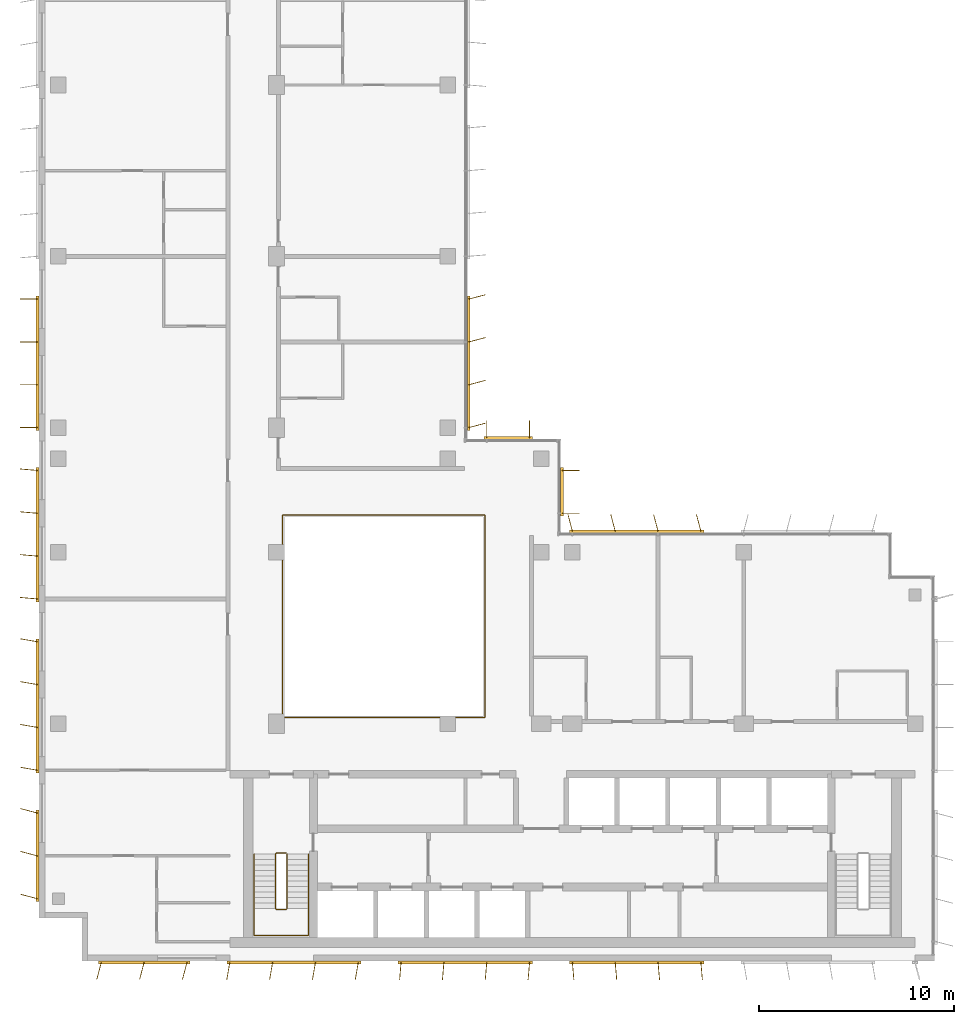
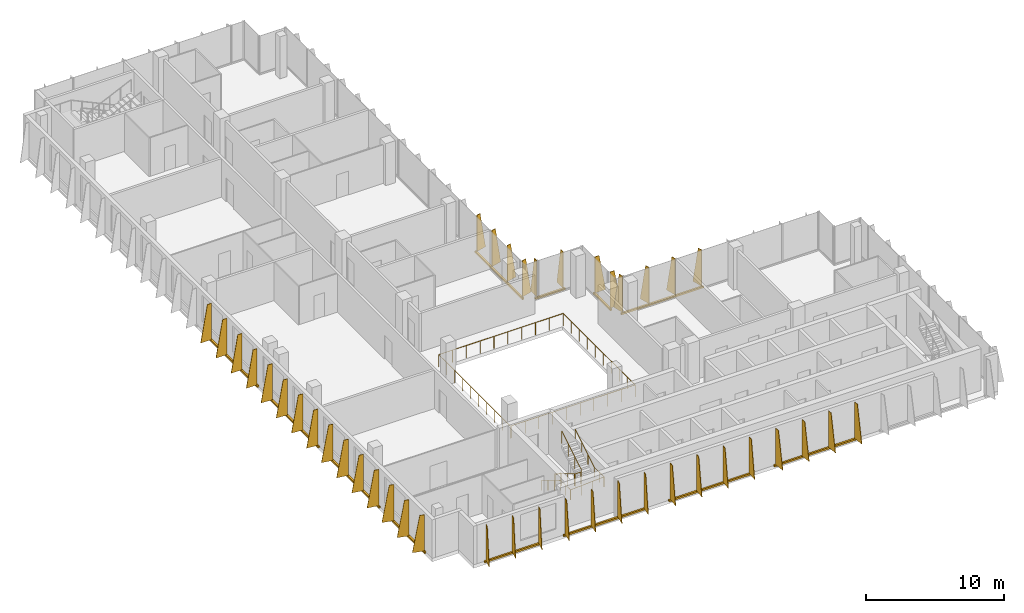
# One storey, part 13 of 15: 12 shading devices, 3 railings.
"""IFC4 building model written with IfcOpenShell, lengths in metres."""

from ifc_helpers import new_model, si_unit, direction, frame, origin, origin_2d, place, context, subcontext, project, spatial, polyline, rectangle, circle, outline, extrude, source, transform, mapped, material, layer, layer_set, type_object, element, save


model = new_model("IFC4")

# Units and contexts
model_context = context("Model", 3, precision=1e-05, world=origin(), true_north=direction((0.0, 1.0)))
body_context = subcontext(model_context, "Body", "Model", "MODEL_VIEW")
ifc_project = project(units=[si_unit("LENGTHUNIT", "METRE"), si_unit("AREAUNIT", "SQUARE_METRE"), si_unit("VOLUMEUNIT", "CUBIC_METRE"), si_unit("PLANEANGLEUNIT", "RADIAN"), si_unit("MASSUNIT", "GRAM", prefix="KILO")], contexts=[model_context])

# Site, building, storey
site_placement = place(None, origin())
site = spatial("IfcSite", under=ifc_project, at=site_placement, CompositionType="ELEMENT")
building_placement = place(site_placement, origin())
building = spatial("IfcBuilding", under=site, at=building_placement, Name="Kemantara Hotel Tower", CompositionType="ELEMENT")
storey_placement = place(building_placement, frame((0.0, 0.0, 237.60009765625)))
storey = spatial("IfcBuildingStorey", under=building, at=storey_placement, Name="L59", CompositionType="ELEMENT", Elevation=237.60009765625)

# Railings
ifc_material_1 = material(Name="Stainless steel and laminated glass balustrade", Category="steel")
railing_type_1 = type_object("IfcRailingType", Name="ATRIUM GUARD 1100", PredefinedType="GUARDRAIL", material=ifc_material_1)
railing_1_placement = place(storey_placement, frame((12.56005859375, 12.5, 0.0)))
element("IfcRailing", 1, at=railing_1_placement, inside=storey, type_object=railing_type_1, Name="ATRIUM GUARD L59", PredefinedType="GUARDRAIL", context=body_context, shape_type="SweptSolid", body=[
    extrude(circle(Radius=0.02490234375, at=origin_2d()), frame((0.0, 0.0, 1.0751953125), z_axis=(1.0, 0.0, 0.0), x_axis=(0.0, 1.0, 0.0)), (0.0, 0.0, 1.0), 10.33984375),
    extrude(circle(Radius=0.02490234375, at=origin_2d()), frame((10.33984375, 0.0, 1.0751953125), z_axis=(0.0, 1.0, 0.0), x_axis=(-1.0, 0.0, 0.0)), (0.0, 0.0, 1.0), 10.39990234375),
    extrude(circle(Radius=0.02490234375, at=origin_2d()), frame((10.33984375, 10.39990234375, 1.0751953125), z_axis=(-1.0, 0.0, 0.0), x_axis=(0.0, -1.0, 0.0)), (0.0, 0.0, 1.0), 10.39990234375),
    extrude(circle(Radius=0.02490234375, at=origin_2d()), frame((-0.06005859375, 10.39990234375, 1.0751953125), z_axis=(0.0, -1.0, 0.0), x_axis=(1.0, 0.0, 0.0)), (0.0, 0.0, 1.0), 10.39990234375),
    extrude(circle(Radius=0.02001953125, at=origin_2d()), origin(), (0.0, 0.0, 1.0), 1.050048828125),
    extrude(circle(Radius=0.02001953125, at=origin_2d()), frame((1.14892578125, 0.0, 0.0)), (0.0, 0.0, 1.0), 1.050048828125),
    extrude(circle(Radius=0.02001953125, at=origin_2d()), frame((2.2978515625, 0.0, 0.0)), (0.0, 0.0, 1.0), 1.050048828125),
    extrude(circle(Radius=0.02001953125, at=origin_2d()), frame((3.446533203125, 0.0, 0.0)), (0.0, 0.0, 1.0), 1.050048828125),
    extrude(circle(Radius=0.02001953125, at=origin_2d()), frame((4.595458984375, 0.0, 0.0)), (0.0, 0.0, 1.0), 1.050048828125),
    extrude(circle(Radius=0.02001953125, at=origin_2d()), frame((5.744384765625, 0.0, 0.0)), (0.0, 0.0, 1.0), 1.050048828125),
    extrude(circle(Radius=0.02001953125, at=origin_2d()), frame((6.893310546875, 0.0, 0.0)), (0.0, 0.0, 1.0), 1.050048828125),
    extrude(circle(Radius=0.02001953125, at=origin_2d()), frame((8.0419921875, 0.0, 0.0)), (0.0, 0.0, 1.0), 1.050048828125),
    extrude(circle(Radius=0.02001953125, at=origin_2d()), frame((9.19091796875, 0.0, 0.0)), (0.0, 0.0, 1.0), 1.050048828125),
    extrude(circle(Radius=0.02001953125, at=origin_2d()), frame((10.33984375, 0.0, 0.0)), (0.0, 0.0, 1.0), 1.050048828125),
    extrude(circle(Radius=0.02001953125, at=origin_2d()), frame((10.33984375, 1.155517578125, 0.0)), (0.0, 0.0, 1.0), 1.050048828125),
    extrude(circle(Radius=0.02001953125, at=origin_2d()), frame((10.33984375, 2.31103515625, 0.0)), (0.0, 0.0, 1.0), 1.050048828125),
    extrude(circle(Radius=0.02001953125, at=origin_2d()), frame((10.33984375, 3.466552734375, 0.0)), (0.0, 0.0, 1.0), 1.050048828125),
    extrude(circle(Radius=0.02001953125, at=origin_2d()), frame((10.33984375, 4.6220703125, 0.0)), (0.0, 0.0, 1.0), 1.050048828125),
    extrude(circle(Radius=0.02001953125, at=origin_2d()), frame((10.33984375, 5.77783203125, 0.0)), (0.0, 0.0, 1.0), 1.050048828125),
    extrude(circle(Radius=0.02001953125, at=origin_2d()), frame((10.33984375, 6.933349609375, 0.0)), (0.0, 0.0, 1.0), 1.050048828125),
    extrude(circle(Radius=0.02001953125, at=origin_2d()), frame((10.33984375, 8.0888671875, 0.0)), (0.0, 0.0, 1.0), 1.050048828125),
    extrude(circle(Radius=0.02001953125, at=origin_2d()), frame((10.33984375, 9.244384765625, 0.0)), (0.0, 0.0, 1.0), 1.050048828125),
    extrude(circle(Radius=0.02001953125, at=origin_2d()), frame((10.33984375, 10.39990234375, 0.0)), (0.0, 0.0, 1.0), 1.050048828125),
    extrude(circle(Radius=0.02001953125, at=origin_2d()), frame((9.184326171875, 10.39990234375, 0.0)), (0.0, 0.0, 1.0), 1.050048828125),
    extrude(circle(Radius=0.02001953125, at=origin_2d()), frame((8.02880859375, 10.39990234375, 0.0)), (0.0, 0.0, 1.0), 1.050048828125),
    extrude(circle(Radius=0.02001953125, at=origin_2d()), frame((6.873291015625, 10.39990234375, 0.0)), (0.0, 0.0, 1.0), 1.050048828125),
    extrude(circle(Radius=0.02001953125, at=origin_2d()), frame((5.7177734375, 10.39990234375, 0.0)), (0.0, 0.0, 1.0), 1.050048828125),
    extrude(circle(Radius=0.02001953125, at=origin_2d()), frame((4.56201171875, 10.39990234375, 0.0)), (0.0, 0.0, 1.0), 1.050048828125),
    extrude(circle(Radius=0.02001953125, at=origin_2d()), frame((3.406494140625, 10.39990234375, 0.0)), (0.0, 0.0, 1.0), 1.050048828125),
    extrude(circle(Radius=0.02001953125, at=origin_2d()), frame((2.2509765625, 10.39990234375, 0.0)), (0.0, 0.0, 1.0), 1.050048828125),
    extrude(circle(Radius=0.02001953125, at=origin_2d()), frame((1.095458984375, 10.39990234375, 0.0)), (0.0, 0.0, 1.0), 1.050048828125),
    extrude(circle(Radius=0.02001953125, at=origin_2d()), frame((-0.06005859375, 10.39990234375, 0.0)), (0.0, 0.0, 1.0), 1.050048828125),
    extrude(circle(Radius=0.02001953125, at=origin_2d()), frame((-0.06005859375, 9.244384765625, 0.0)), (0.0, 0.0, 1.0), 1.050048828125),
    extrude(circle(Radius=0.02001953125, at=origin_2d()), frame((-0.06005859375, 8.0888671875, 0.0)), (0.0, 0.0, 1.0), 1.050048828125),
    extrude(circle(Radius=0.02001953125, at=origin_2d()), frame((-0.06005859375, 6.933349609375, 0.0)), (0.0, 0.0, 1.0), 1.050048828125),
    extrude(circle(Radius=0.02001953125, at=origin_2d()), frame((-0.06005859375, 5.77783203125, 0.0)), (0.0, 0.0, 1.0), 1.050048828125),
    extrude(circle(Radius=0.02001953125, at=origin_2d()), frame((-0.06005859375, 4.6220703125, 0.0)), (0.0, 0.0, 1.0), 1.050048828125),
    extrude(circle(Radius=0.02001953125, at=origin_2d()), frame((-0.06005859375, 3.466552734375, 0.0)), (0.0, 0.0, 1.0), 1.050048828125),
    extrude(circle(Radius=0.02001953125, at=origin_2d()), frame((-0.06005859375, 2.31103515625, 0.0)), (0.0, 0.0, 1.0), 1.050048828125),
    extrude(circle(Radius=0.02001953125, at=origin_2d()), frame((-0.06005859375, 1.155517578125, 0.0)), (0.0, 0.0, 1.0), 1.050048828125),
    extrude(circle(Radius=0.02001953125, at=origin_2d()), frame((-0.06005859375, 0.0, 0.0)), (0.0, 0.0, 1.0), 1.050048828125),
])
ifc_material_2 = material(Name="Stainless steel balustrade", Category="steel")
railing_type_2 = type_object("IfcRailingType", Name="Stair guard 1100 mm", PredefinedType="GUARDRAIL", material=ifc_material_2)
railing_2_placement = place(storey_placement, frame((12.75, 5.5, 3.699951171875)))
element("IfcRailing", 2, at=railing_2_placement, inside=storey, type_object=railing_type_2, Name="L59 ST1 stair guard 1", PredefinedType="GUARDRAIL", context=body_context, shape_type="SweptSolid", body=[
    extrude(circle(Radius=0.02392578125, at=origin_2d()), frame((0.0, 0.0, 1.076171875), z_axis=(0.0, -0.857242210791, -0.514913383045), x_axis=(1.0, 0.0, 0.0)), (0.0, 0.0, 1.0), 3.266357421875),
    extrude(circle(Radius=0.02392578125, at=origin_2d()), frame((0.0, -2.800048828125, -0.60595703125), z_axis=(-0.274243871929, -0.274243871929, -0.92172696468), x_axis=(0.707106781187, -0.707106781187, 0.0)), (0.0, 0.0, 1.0), 0.1826171875),
    extrude(circle(Radius=0.02392578125, at=origin_2d()), frame((-0.050048828125, -2.85009765625, -0.77392578125), z_axis=(-1.0, 0.0, 0.0), x_axis=(0.0, -1.0, 0.0)), (0.0, 0.0, 1.0), 0.5),
    extrude(circle(Radius=0.02392578125, at=origin_2d()), frame((-0.550048828125, -2.85009765625, -0.77392578125), z_axis=(-0.707106781187, 0.707106781187, 0.0), x_axis=(-0.707106781187, -0.707106781187, 0.0)), (0.0, 0.0, 1.0), 0.07080078125),
    extrude(circle(Radius=0.02392578125, at=origin_2d()), frame((-0.60009765625, -2.800048828125, -0.77392578125), z_axis=(0.0, 0.857242210791, -0.514913383045), x_axis=(-1.0, 0.0, 0.0)), (0.0, 0.0, 1.0), 3.266357421875),
    extrude(circle(Radius=0.02392578125, at=origin_2d()), frame((-0.60009765625, 0.0, -2.4560546875), z_axis=(0.274582412415, 0.274582412415, -0.921525364591), x_axis=(-0.707106781187, 0.707106781187, 0.0)), (0.0, 0.0, 1.0), 0.182373046875),
    extrude(circle(Radius=0.02392578125, at=origin_2d()), frame((-0.550048828125, 0.050048828125, -2.6240234375), z_axis=(1.0, 0.0, 0.0), x_axis=(0.0, 1.0, 0.0)), (0.0, 0.0, 1.0), 0.5),
    extrude(circle(Radius=0.02099609375, at=origin_2d()), origin(), (0.0, 0.0, 1.0), 1.052001953125),
    extrude(circle(Radius=0.02099609375, at=origin_2d()), frame((0.0, -0.933349609375, -0.560546875)), (0.0, 0.0, 1.0), 1.052001953125),
    extrude(circle(Radius=0.02099609375, at=origin_2d()), frame((0.0, -1.86669921875, -1.121337890625)), (0.0, 0.0, 1.0), 1.052001953125),
    extrude(circle(Radius=0.02099609375, at=origin_2d()), frame((0.0, -2.800048828125, -1.681884765625)), (0.0, 0.0, 1.0), 1.052001953125),
    extrude(circle(Radius=0.02099609375, at=origin_2d()), frame((-0.050048828125, -2.85009765625, -1.85009765625)), (0.0, 0.0, 1.0), 1.052001953125),
    extrude(circle(Radius=0.02099609375, at=origin_2d()), frame((-0.550048828125, -2.85009765625, -1.85009765625)), (0.0, 0.0, 1.0), 1.052001953125),
    extrude(circle(Radius=0.02099609375, at=origin_2d()), frame((-0.60009765625, -2.800048828125, -1.85009765625)), (0.0, 0.0, 1.0), 1.052001953125),
    extrude(circle(Radius=0.02099609375, at=origin_2d()), frame((-0.60009765625, -1.86669921875, -2.41064453125)), (0.0, 0.0, 1.0), 1.052001953125),
    extrude(circle(Radius=0.02099609375, at=origin_2d()), frame((-0.60009765625, -0.933349609375, -2.971435546875)), (0.0, 0.0, 1.0), 1.052001953125),
    extrude(circle(Radius=0.02099609375, at=origin_2d()), frame((-0.60009765625, 0.0, -3.531982421875)), (0.0, 0.0, 1.0), 1.052001953125),
    extrude(circle(Radius=0.02099609375, at=origin_2d()), frame((-0.550048828125, 0.050048828125, -3.699951171875)), (0.0, 0.0, 1.0), 1.052001953125),
    extrude(circle(Radius=0.02099609375, at=origin_2d()), frame((-0.050048828125, 0.050048828125, -3.699951171875)), (0.0, 0.0, 1.0), 1.052001953125),
])
railing_type_3 = type_object("IfcRailingType", Name="Stair handrail 900 mm", PredefinedType="HANDRAIL", material=ifc_material_2)
railing_3_placement = place(storey_placement, frame((11.050048828125, 5.5, 0.16796875)))
element("IfcRailing", 3, at=railing_3_placement, inside=storey, type_object=railing_type_3, Name="L59 ST1 stair handrail 1", PredefinedType="HANDRAIL", context=body_context, shape_type="SweptSolid", body=[
    extrude(circle(Radius=0.02392578125, at=origin_2d()), frame((0.0, 0.0, 0.8759765625), z_axis=(0.0, -0.857242210791, 0.514913383045), x_axis=(1.0, 0.0, 0.0)), (0.0, 0.0, 1.0), 3.266357421875),
    extrude(circle(Radius=0.02392578125, at=origin_2d()), frame((0.0, -2.800048828125, 2.5576171875), z_axis=(0.0, -1.0, 0.0), x_axis=(1.0, 0.0, 0.0)), (0.0, 0.0, 1.0), 1.3798828125),
    extrude(circle(Radius=0.02392578125, at=origin_2d()), frame((0.0, -4.179931640625, 2.5576171875), z_axis=(0.998200367801, 0.0, 0.059966871865), x_axis=(0.0, 1.0, 0.0)), (0.0, 0.0, 1.0), 2.80517578125),
    extrude(circle(Radius=0.02392578125, at=origin_2d()), frame((2.800048828125, -4.179931640625, 2.72607421875), z_axis=(0.0, 1.0, 0.0), x_axis=(-1.0, 0.0, 0.0)), (0.0, 0.0, 1.0), 1.3798828125),
    extrude(circle(Radius=0.02392578125, at=origin_2d()), frame((2.800048828125, -2.800048828125, 2.72607421875), z_axis=(0.0, 0.857242210791, 0.514913383045), x_axis=(-1.0, 0.0, 0.0)), (0.0, 0.0, 1.0), 3.266357421875),
    extrude(circle(Radius=0.02099609375, at=origin_2d()), origin(), (0.0, 0.0, 1.0), 0.851806640625),
    extrude(circle(Radius=0.02099609375, at=origin_2d()), frame((0.0, -0.933349609375, 0.560546875)), (0.0, 0.0, 1.0), 0.851806640625),
    extrude(circle(Radius=0.02099609375, at=origin_2d()), frame((0.0, -1.86669921875, 1.121337890625)), (0.0, 0.0, 1.0), 0.851806640625),
    extrude(circle(Radius=0.02099609375, at=origin_2d()), frame((0.0, -2.800048828125, 1.681884765625)), (0.0, 0.0, 1.0), 0.851806640625),
    extrude(circle(Radius=0.02099609375, at=origin_2d()), frame((0.0, -3.489990234375, 1.681884765625)), (0.0, 0.0, 1.0), 0.851806640625),
    extrude(circle(Radius=0.02099609375, at=origin_2d()), frame((0.0, -4.179931640625, 1.681884765625)), (0.0, 0.0, 1.0), 0.851806640625),
    extrude(circle(Radius=0.02099609375, at=origin_2d()), frame((0.933349609375, -4.179931640625, 1.738037109375)), (0.0, 0.0, 1.0), 0.851806640625),
    extrude(circle(Radius=0.02099609375, at=origin_2d()), frame((1.86669921875, -4.179931640625, 1.7939453125)), (0.0, 0.0, 1.0), 0.851806640625),
    extrude(circle(Radius=0.02099609375, at=origin_2d()), frame((2.800048828125, -4.179931640625, 1.85009765625)), (0.0, 0.0, 1.0), 0.851806640625),
    extrude(circle(Radius=0.02099609375, at=origin_2d()), frame((2.800048828125, -3.489990234375, 1.85009765625)), (0.0, 0.0, 1.0), 0.851806640625),
    extrude(circle(Radius=0.02099609375, at=origin_2d()), frame((2.800048828125, -2.800048828125, 1.85009765625)), (0.0, 0.0, 1.0), 0.851806640625),
    extrude(circle(Radius=0.02099609375, at=origin_2d()), frame((2.800048828125, -1.86669921875, 2.41064453125)), (0.0, 0.0, 1.0), 0.851806640625),
    extrude(circle(Radius=0.02099609375, at=origin_2d()), frame((2.800048828125, -0.933349609375, 2.971435546875)), (0.0, 0.0, 1.0), 0.851806640625),
    extrude(circle(Radius=0.02099609375, at=origin_2d()), frame((2.800048828125, 0.0, 3.531982421875)), (0.0, 0.0, 1.0), 0.851806640625),
])

# Shading devices
ifc_material_3 = material(Name="Perforated aluminium plate 4 mm bronze anodised", Category="aluminium")
ifc_layer_1 = layer(ifc_material_3, 0.0400390625)
ifc_layer_set_1 = layer_set([ifc_layer_1], Name="Perforated aluminium plate 4 mm bronze anodised")
shading_device_type_1 = type_object("IfcShadingDeviceType", Name="SCREEN FIN CASSETTE, 3 BLADES AT -15.0 DEG, 3200 HIGH", PredefinedType="USERDEFINED", material=ifc_layer_set_1)
shared_shape_1 = source(origin(), body_context, "Body", "SweptSolid", [
    extrude(rectangle(XDim=4.699951171875, YDim=0.14990234375, at=origin_2d()), frame((2.199951171875, -0.074951171875, -0.14990234375), z_axis=(0.0, 0.0, 1.0), x_axis=(1.0, 0.0, 0.0)), (0.0, 0.0, 1.0), 0.14990234375),
    extrude(outline(polyline([(0.0, 0.0), (0.89990234375, 0.0), (0.35009765625, 3.199951171875), (0.0, 3.199951171875), (0.0, 0.0)])), frame((0.019287109375, -0.080078125, 0.0), z_axis=(-0.966437683387, 0.256901156343, 0.0), x_axis=(-0.256901156343, -0.966437683387, 0.0)), (0.0, 0.0, 1.0), 0.039794921875),
    extrude(outline(polyline([(0.0, 0.0), (0.89990234375, 0.0), (0.35009765625, 3.199951171875), (0.0, 3.199951171875), (0.0, 0.0)])), frame((2.21923828125, -0.080078125, 0.0), z_axis=(-0.966437683387, 0.256901156343, 0.0), x_axis=(-0.256901156343, -0.966437683387, 0.0)), (0.0, 0.0, 1.0), 0.039794921875),
    extrude(outline(polyline([(0.0, 0.0), (0.89990234375, 0.0), (0.35009765625, 3.199951171875), (0.0, 3.199951171875), (0.0, 0.0)])), frame((4.41943359375, -0.080078125, 0.0), z_axis=(-0.966837822169, 0.255391122837, 0.0), x_axis=(-0.255391122837, -0.966837822169, 0.0)), (0.0, 0.0, 1.0), 0.0400390625),
])
for number, where, z_axis, x_axis, name in (
    (4, (0.0, 7.60009765625, 0.099853515625), (0.0, 0.0, 1.0), (0.0, -1.0, 0.0), "SCREEN FIN CASSETTE L59 T4-R05-7"),
    (5, (3.199951171875, 0.0, 0.099853515625), (0.0, 0.0, 1.0), (1.0, 0.0, 0.0), "SCREEN FIN CASSETTE L59 T4-R08-1"),
):
    element("IfcShadingDevice", number, at=place(storey_placement, frame(where, z_axis=z_axis, x_axis=x_axis)), inside=storey, type_object=shading_device_type_1, Name=name, ObjectType="SCREEN FIN", PredefinedType="USERDEFINED", context=body_context, shape_type="MappedRepresentation", body=[
        mapped(shared_shape_1, transform((0.0, 0.0, 0.0))),
    ])
ifc_layer_2 = layer(ifc_material_3, 0.0400390625)
ifc_layer_set_2 = layer_set([ifc_layer_2], Name="Perforated aluminium plate 4 mm bronze anodised")
shading_device_type_2 = type_object("IfcShadingDeviceType", Name="SCREEN FIN CASSETTE, 4 BLADES AT -10.0 DEG, 3200 HIGH", PredefinedType="USERDEFINED", material=ifc_layer_set_2)
shared_shape_2 = source(origin(), body_context, "Body", "SweptSolid", [
    extrude(rectangle(XDim=6.89990234375, YDim=0.14990234375, at=origin_2d()), frame((3.300048828125, -0.074951171875, -0.14990234375), z_axis=(0.0, 0.0, 1.0), x_axis=(1.0, 0.0, 0.0)), (0.0, 0.0, 1.0), 0.14990234375),
    extrude(outline(polyline([(0.0, 0.0), (0.89990234375, 0.0), (0.35009765625, 3.199951171875), (0.0, 3.199951171875), (0.0, 0.0)])), frame((0.019775390625, -0.078369140625, 0.0), z_axis=(-0.985389793052, 0.170314285219, 0.0), x_axis=(-0.170314285219, -0.985389793052, 0.0)), (0.0, 0.0, 1.0), 0.0400390625),
    extrude(outline(polyline([(0.0, 0.0), (0.89990234375, 0.0), (0.35009765625, 3.199951171875), (0.0, 3.199951171875), (0.0, 0.0)])), frame((2.2197265625, -0.078369140625, 0.0), z_axis=(-0.98521175482, 0.171341174751, 0.0), x_axis=(-0.171341174751, -0.98521175482, 0.0)), (0.0, 0.0, 1.0), 0.039794921875),
    extrude(outline(polyline([(0.0, 0.0), (0.89990234375, 0.0), (0.35009765625, 3.199951171875), (0.0, 3.199951171875), (0.0, 0.0)])), frame((4.419677734375, -0.078369140625, 0.0), z_axis=(-0.98521175482, 0.171341174751, 0.0), x_axis=(-0.171341174751, -0.98521175482, 0.0)), (0.0, 0.0, 1.0), 0.039794921875),
    extrude(outline(polyline([(0.0, 0.0), (0.89990234375, 0.0), (0.35009765625, 3.199951171875), (0.0, 3.199951171875), (0.0, 0.0)])), frame((6.61962890625, -0.078369140625, 0.0), z_axis=(-0.98521175482, 0.171341174751, 0.0), x_axis=(-0.171341174751, -0.98521175482, 0.0)), (0.0, 0.0, 1.0), 0.039794921875),
])
for number, where, z_axis, x_axis, name in (
    (6, (0.0, 16.39990234375, 0.099853515625), (0.0, 0.0, 1.0), (0.0, -1.0, 0.0), "SCREEN FIN CASSETTE L59 T4-R05-6"),
    (7, (9.800048828125, 0.0, 0.099853515625), (0.0, 0.0, 1.0), (1.0, 0.0, 0.0), "SCREEN FIN CASSETTE L59 T4-R08-2"),
):
    element("IfcShadingDevice", number, at=place(storey_placement, frame(where, z_axis=z_axis, x_axis=x_axis)), inside=storey, type_object=shading_device_type_2, Name=name, ObjectType="SCREEN FIN", PredefinedType="USERDEFINED", context=body_context, shape_type="MappedRepresentation", body=[
        mapped(shared_shape_2, transform((0.0, 0.0, 0.0))),
    ])
ifc_layer_3 = layer(ifc_material_3, 0.0400390625)
ifc_layer_set_3 = layer_set([ifc_layer_3], Name="Perforated aluminium plate 4 mm bronze anodised")
shading_device_type_3 = type_object("IfcShadingDeviceType", Name="SCREEN FIN CASSETTE, 4 BLADES AT -5.0 DEG, 3200 HIGH", PredefinedType="USERDEFINED", material=ifc_layer_set_3)
shared_shape_3 = source(origin(), body_context, "Body", "SweptSolid", [
    extrude(rectangle(XDim=6.89990234375, YDim=0.14990234375, at=origin_2d()), frame((3.300048828125, -0.074951171875, -0.14990234375), z_axis=(0.0, 0.0, 1.0), x_axis=(1.0, 0.0, 0.0)), (0.0, 0.0, 1.0), 0.14990234375),
    extrude(outline(polyline([(0.0, 0.0), (0.89990234375, 0.0), (0.35009765625, 3.199951171875), (0.0, 3.199951171875), (0.0, 0.0)])), frame((0.02001953125, -0.07666015625, 0.0), z_axis=(-0.996376129781, 0.085056498884, 0.0), x_axis=(-0.085056498884, -0.996376129781, 0.0)), (0.0, 0.0, 1.0), 0.040283203125),
    extrude(outline(polyline([(0.0, 0.0), (0.89990234375, 0.0), (0.35009765625, 3.199951171875), (0.0, 3.199951171875), (0.0, 0.0)])), frame((2.219970703125, -0.07666015625, 0.0), z_axis=(-0.996331773833, 0.085574508182, 0.0), x_axis=(-0.085574508182, -0.996331773833, 0.0)), (0.0, 0.0, 1.0), 0.0400390625),
    extrude(outline(polyline([(0.0, 0.0), (0.89990234375, 0.0), (0.35009765625, 3.199951171875), (0.0, 3.199951171875), (0.0, 0.0)])), frame((4.419921875, -0.07666015625, 0.0), z_axis=(-0.996331773833, 0.085574508182, 0.0), x_axis=(-0.085574508182, -0.996331773833, 0.0)), (0.0, 0.0, 1.0), 0.0400390625),
    extrude(outline(polyline([(0.0, 0.0), (0.89990234375, 0.0), (0.35009765625, 3.199951171875), (0.0, 3.199951171875), (0.0, 0.0)])), frame((6.619873046875, -0.07666015625, 0.0), z_axis=(-0.996331773833, 0.085574508182, 0.0), x_axis=(-0.085574508182, -0.996331773833, 0.0)), (0.0, 0.0, 1.0), 0.0400390625),
])
for number, where, z_axis, x_axis, name in (
    (8, (0.0, 25.199951171875, 0.099853515625), (0.0, 0.0, 1.0), (0.0, -1.0, 0.0), "SCREEN FIN CASSETTE L59 T4-R05-5"),
    (9, (18.60009765625, 0.0, 0.099853515625), (0.0, 0.0, 1.0), (1.0, 0.0, 0.0), "SCREEN FIN CASSETTE L59 T4-R08-3"),
):
    element("IfcShadingDevice", number, at=place(storey_placement, frame(where, z_axis=z_axis, x_axis=x_axis)), inside=storey, type_object=shading_device_type_3, Name=name, ObjectType="SCREEN FIN", PredefinedType="USERDEFINED", context=body_context, shape_type="MappedRepresentation", body=[
        mapped(shared_shape_3, transform((0.0, 0.0, 0.0))),
    ])
ifc_layer_4 = layer(ifc_material_3, 0.0400390625)
ifc_layer_set_4 = layer_set([ifc_layer_4], Name="Perforated aluminium plate 4 mm bronze anodised")
shading_device_type_4 = type_object("IfcShadingDeviceType", Name="SCREEN FIN CASSETTE, 4 BLADES AT +0.0 DEG, 3200 HIGH", PredefinedType="USERDEFINED", material=ifc_layer_set_4)
shared_shape_4 = source(origin(), body_context, "Body", "SweptSolid", [
    extrude(rectangle(XDim=6.89990234375, YDim=0.14990234375, at=origin_2d()), frame((3.300048828125, -0.074951171875, -0.14990234375), z_axis=(0.0, 0.0, 1.0), x_axis=(1.0, 0.0, 0.0)), (0.0, 0.0, 1.0), 0.14990234375),
    extrude(outline(polyline([(0.0, 0.0), (0.89990234375, 0.0), (0.35009765625, 3.199951171875), (0.0, 3.199951171875), (0.0, 0.0)])), frame((0.02001953125, -0.074951171875, 0.0), z_axis=(-1.0, 0.0, 0.0), x_axis=(0.0, -1.0, 0.0)), (0.0, 0.0, 1.0), 0.0400390625),
    extrude(outline(polyline([(0.0, 0.0), (0.89990234375, 0.0), (0.35009765625, 3.199951171875), (0.0, 3.199951171875), (0.0, 0.0)])), frame((2.219970703125, -0.074951171875, 0.0), z_axis=(-1.0, 0.0, 0.0), x_axis=(0.0, -1.0, 0.0)), (0.0, 0.0, 1.0), 0.0400390625),
    extrude(outline(polyline([(0.0, 0.0), (0.89990234375, 0.0), (0.35009765625, 3.199951171875), (0.0, 3.199951171875), (0.0, 0.0)])), frame((4.419921875, -0.074951171875, 0.0), z_axis=(-1.0, 0.0, 0.0), x_axis=(0.0, -1.0, 0.0)), (0.0, 0.0, 1.0), 0.0400390625),
    extrude(outline(polyline([(0.0, 0.0), (0.89990234375, 0.0), (0.35009765625, 3.199951171875), (0.0, 3.199951171875), (0.0, 0.0)])), frame((6.6201171875, -0.074951171875, 0.0), z_axis=(-1.0, 0.0, 0.0), x_axis=(0.0, -1.0, 0.0)), (0.0, 0.0, 1.0), 0.0400390625),
])
shading_device_1_placement = place(storey_placement, frame((0.0, 34.0, 0.099853515625), z_axis=(0.0, 0.0, 1.0), x_axis=(0.0, -1.0, 0.0)))
element("IfcShadingDevice", 10, at=shading_device_1_placement, inside=storey, type_object=shading_device_type_4, Name="SCREEN FIN CASSETTE L59 T4-R05-4", ObjectType="SCREEN FIN", PredefinedType="USERDEFINED", context=body_context, shape_type="MappedRepresentation", body=[
    mapped(shared_shape_4, transform((0.0, 0.0, 0.0))),
])
ifc_layer_5 = layer(ifc_material_3, 0.0400390625)
ifc_layer_set_5 = layer_set([ifc_layer_5], Name="Perforated aluminium plate 4 mm bronze anodised")
shading_device_type_5 = type_object("IfcShadingDeviceType", Name="SCREEN FIN CASSETTE, 4 BLADES AT +5.0 DEG, 3200 HIGH", PredefinedType="USERDEFINED", material=ifc_layer_set_5)
shared_shape_5 = source(origin(), body_context, "Body", "SweptSolid", [
    extrude(rectangle(XDim=6.89990234375, YDim=0.14990234375, at=origin_2d()), frame((3.300048828125, -0.074951171875, -0.14990234375), z_axis=(0.0, 0.0, 1.0), x_axis=(1.0, 0.0, 0.0)), (0.0, 0.0, 1.0), 0.14990234375),
    extrude(outline(polyline([(0.0, 0.0), (0.89990234375, 0.0), (0.35009765625, 3.199951171875), (0.0, 3.199951171875), (0.0, 0.0)])), frame((0.02001953125, -0.0732421875, 0.0), z_axis=(-0.996376129781, -0.085056498884, 0.0), x_axis=(0.085056498884, -0.996376129781, 0.0)), (0.0, 0.0, 1.0), 0.040283203125),
    extrude(outline(polyline([(0.0, 0.0), (0.89990234375, 0.0), (0.35009765625, 3.199951171875), (0.0, 3.199951171875), (0.0, 0.0)])), frame((2.219970703125, -0.0732421875, 0.0), z_axis=(-0.996331773833, -0.085574508182, 0.0), x_axis=(0.085574508182, -0.996331773833, 0.0)), (0.0, 0.0, 1.0), 0.0400390625),
    extrude(outline(polyline([(0.0, 0.0), (0.89990234375, 0.0), (0.35009765625, 3.199951171875), (0.0, 3.199951171875), (0.0, 0.0)])), frame((4.419921875, -0.0732421875, 0.0), z_axis=(-0.996331773833, -0.085574508182, 0.0), x_axis=(0.085574508182, -0.996331773833, 0.0)), (0.0, 0.0, 1.0), 0.0400390625),
    extrude(outline(polyline([(0.0, 0.0), (0.89990234375, 0.0), (0.35009765625, 3.199951171875), (0.0, 3.199951171875), (0.0, 0.0)])), frame((6.619873046875, -0.0732421875, 0.0), z_axis=(-0.996331773833, -0.085574508182, 0.0), x_axis=(0.085574508182, -0.996331773833, 0.0)), (0.0, 0.0, 1.0), 0.0400390625),
])
shading_device_2_placement = place(storey_placement, frame((27.39990234375, 0.0, 0.099853515625), z_axis=(0.0, 0.0, 1.0), x_axis=(1.0, 0.0, 0.0)))
element("IfcShadingDevice", 11, at=shading_device_2_placement, inside=storey, type_object=shading_device_type_5, Name="SCREEN FIN CASSETTE L59 T4-R08-4", ObjectType="SCREEN FIN", PredefinedType="USERDEFINED", context=body_context, shape_type="MappedRepresentation", body=[
    mapped(shared_shape_5, transform((0.0, 0.0, 0.0))),
])
ifc_layer_6 = layer(ifc_material_3, 0.0400390625)
ifc_layer_set_6 = layer_set([ifc_layer_6], Name="Perforated aluminium plate 4 mm bronze anodised")
shading_device_type_6 = type_object("IfcShadingDeviceType", Name="SCREEN FIN CASSETTE, 4 BLADES AT +15.0 DEG, 3200 HIGH", PredefinedType="USERDEFINED", material=ifc_layer_set_6)
shared_shape_6 = source(origin(), body_context, "Body", "SweptSolid", [
    extrude(rectangle(XDim=6.89990234375, YDim=0.14990234375, at=origin_2d()), frame((3.300048828125, -0.074951171875, -0.14990234375), z_axis=(0.0, 0.0, 1.0), x_axis=(1.0, 0.0, 0.0)), (0.0, 0.0, 1.0), 0.14990234375),
    extrude(outline(polyline([(0.0, 0.0), (0.89990234375, 0.0), (0.35009765625, 3.199951171875), (0.0, 3.199951171875), (0.0, 0.0)])), frame((0.019287109375, -0.06982421875, 0.0), z_axis=(-0.966437683387, -0.256901156343, 0.0), x_axis=(0.256901156343, -0.966437683387, 0.0)), (0.0, 0.0, 1.0), 0.039794921875),
    extrude(outline(polyline([(0.0, 0.0), (0.89990234375, 0.0), (0.35009765625, 3.199951171875), (0.0, 3.199951171875), (0.0, 0.0)])), frame((2.21923828125, -0.06982421875, 0.0), z_axis=(-0.966437683387, -0.256901156343, 0.0), x_axis=(0.256901156343, -0.966437683387, 0.0)), (0.0, 0.0, 1.0), 0.039794921875),
    extrude(outline(polyline([(0.0, 0.0), (0.89990234375, 0.0), (0.35009765625, 3.199951171875), (0.0, 3.199951171875), (0.0, 0.0)])), frame((4.41943359375, -0.06982421875, 0.0), z_axis=(-0.966837822169, -0.255391122837, 0.0), x_axis=(0.255391122837, -0.966837822169, 0.0)), (0.0, 0.0, 1.0), 0.0400390625),
    extrude(outline(polyline([(0.0, 0.0), (0.89990234375, 0.0), (0.35009765625, 3.199951171875), (0.0, 3.199951171875), (0.0, 0.0)])), frame((6.619384765625, -0.06982421875, 0.0), z_axis=(-0.966837822169, -0.255391122837, 0.0), x_axis=(0.255391122837, -0.966837822169, 0.0)), (0.0, 0.0, 1.0), 0.0400390625),
])
for number, where, z_axis, x_axis, name in (
    (12, (34.0, 22.0, 0.099853515625), (0.0, 0.0, 1.0), (-1.0, 0.0, 0.0), "SCREEN FIN CASSETTE L59 T4-R12-2"),
    (13, (22.0, 27.39990234375, 0.099853515625), (0.0, 0.0, 1.0), (0.0, 1.0, 0.0), "SCREEN FIN CASSETTE L59 T4-R15-1"),
):
    element("IfcShadingDevice", number, at=place(storey_placement, frame(where, z_axis=z_axis, x_axis=x_axis)), inside=storey, type_object=shading_device_type_6, Name=name, ObjectType="SCREEN FIN", PredefinedType="USERDEFINED", context=body_context, shape_type="MappedRepresentation", body=[
        mapped(shared_shape_6, transform((0.0, 0.0, 0.0))),
    ])
ifc_layer_7 = layer(ifc_material_3, 0.0400390625)
ifc_layer_set_7 = layer_set([ifc_layer_7], Name="Perforated aluminium plate 4 mm bronze anodised")
shading_device_type_7 = type_object("IfcShadingDeviceType", Name="SCREEN FIN CASSETTE, 2 BLADES AT +0.0 DEG, 3200 HIGH", PredefinedType="USERDEFINED", material=ifc_layer_set_7)
shared_shape_7 = source(origin(), body_context, "Body", "SweptSolid", [
    extrude(rectangle(XDim=2.5, YDim=0.14990234375, at=origin_2d()), frame((1.10009765625, -0.074951171875, -0.14990234375), z_axis=(0.0, 0.0, 1.0), x_axis=(1.0, 0.0, 0.0)), (0.0, 0.0, 1.0), 0.14990234375),
    extrude(outline(polyline([(0.0, 0.0), (0.89990234375, 0.0), (0.35009765625, 3.199951171875), (0.0, 3.199951171875), (0.0, 0.0)])), frame((0.02001953125, -0.074951171875, 0.0), z_axis=(-1.0, 0.0, 0.0), x_axis=(0.0, -1.0, 0.0)), (0.0, 0.0, 1.0), 0.0400390625),
    extrude(outline(polyline([(0.0, 0.0), (0.89990234375, 0.0), (0.35009765625, 3.199951171875), (0.0, 3.199951171875), (0.0, 0.0)])), frame((2.219970703125, -0.074951171875, 0.0), z_axis=(-1.0, 0.0, 0.0), x_axis=(0.0, -1.0, 0.0)), (0.0, 0.0, 1.0), 0.0400390625),
])
for number, where, z_axis, x_axis, name in (
    (14, (26.800048828125, 23.0, 0.099853515625), (0.0, 0.0, 1.0), (0.0, 1.0, 0.0), "SCREEN FIN CASSETTE L59 T4-R13-1"),
    (15, (25.199951171875, 26.800048828125, 0.099853515625), (0.0, 0.0, 1.0), (-1.0, 0.0, 0.0), "SCREEN FIN CASSETTE L59 T4-R14-1"),
):
    element("IfcShadingDevice", number, at=place(storey_placement, frame(where, z_axis=z_axis, x_axis=x_axis)), inside=storey, type_object=shading_device_type_7, Name=name, ObjectType="SCREEN FIN", PredefinedType="USERDEFINED", context=body_context, shape_type="MappedRepresentation", body=[
        mapped(shared_shape_7, transform((0.0, 0.0, 0.0))),
    ])

save(model, "model.ifc")
